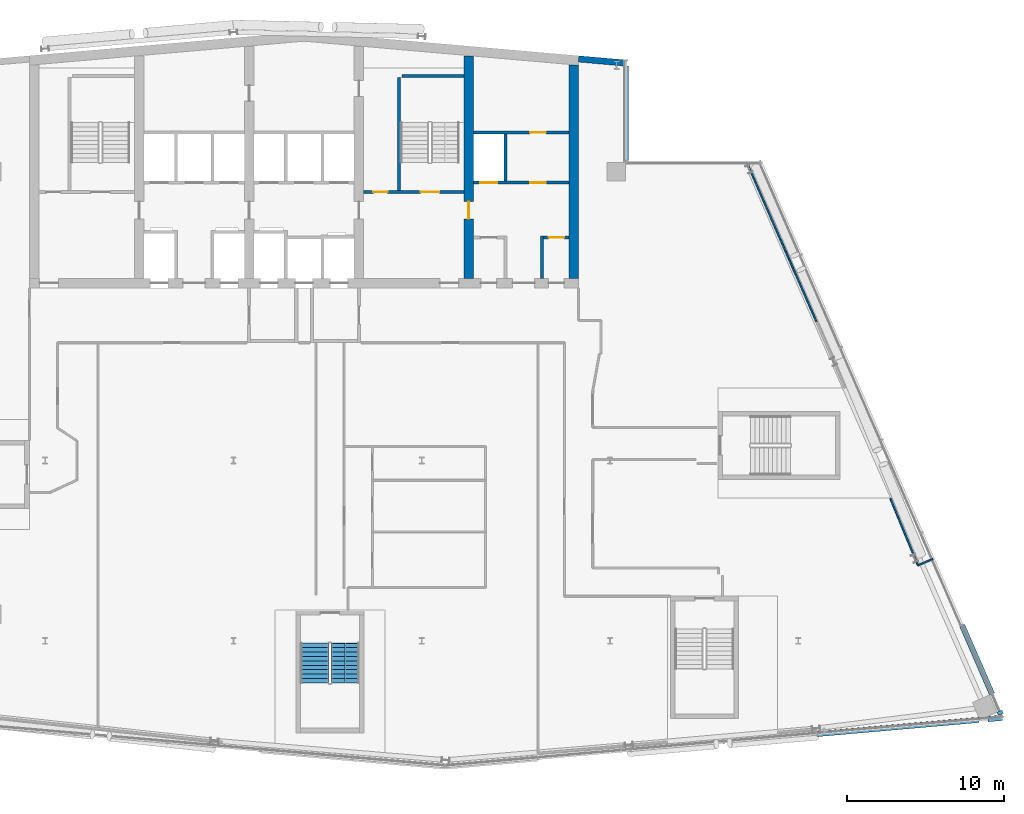
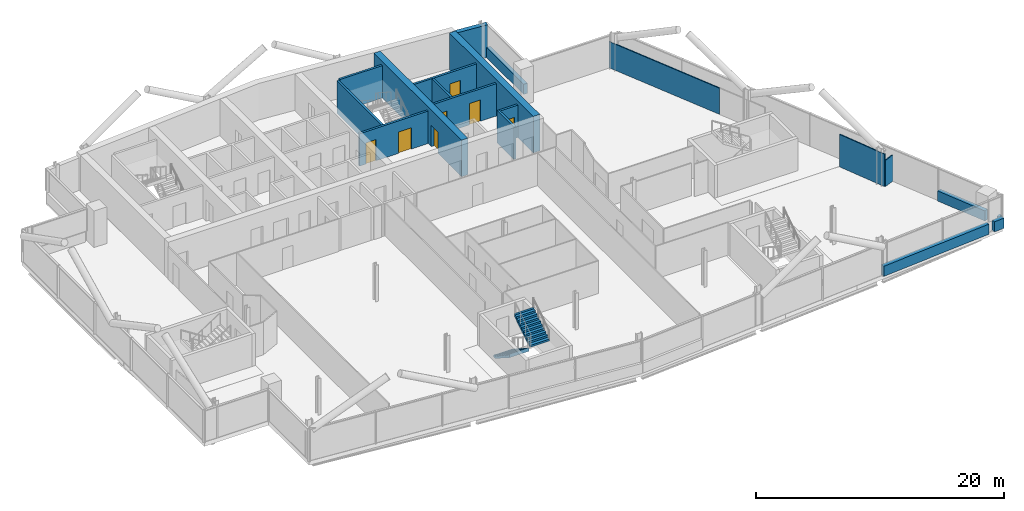
# One storey, part 18 of 25: 19 walls, 7 doors, 2 stair flights, 7 openings, 1 element without a shape of its own.
"""IFC4 building model written with IfcOpenShell, lengths in metres."""

from ifc_helpers import new_model, si_unit, direction, frame, frame_2d, origin, place, context, subcontext, project, spatial, polyline, rectangle, outline, extrude, material, layer, layer_set, type_object, element, fill, aggregate, save


model = new_model("IFC4")

# Units and contexts
model_context = context("Model", 3, precision=1e-05, world=origin(), true_north=direction((0.0, 1.0)))
body_context = subcontext(model_context, "Body", "Model", "MODEL_VIEW")
ifc_project = project(units=[si_unit("LENGTHUNIT", "METRE"), si_unit("AREAUNIT", "SQUARE_METRE"), si_unit("VOLUMEUNIT", "CUBIC_METRE"), si_unit("PLANEANGLEUNIT", "RADIAN"), si_unit("MASSUNIT", "GRAM", prefix="KILO")], contexts=[model_context])

# Site, building, storey
site_placement = place(None, origin())
site = spatial("IfcSite", under=ifc_project, at=site_placement, CompositionType="ELEMENT")
building_placement = place(site_placement, origin())
building = spatial("IfcBuilding", under=site, at=building_placement, Name="Wharfspan Tower", CompositionType="ELEMENT")
storey_placement = place(building_placement, frame((0.0, 0.0, 232.300049)))
storey = spatial("IfcBuildingStorey", under=building, at=storey_placement, Name="L58", CompositionType="ELEMENT", Elevation=232.300049)

# Wall, opening, door
ifc_material_1 = material(Name="Calcium silicate masonry", Category="masonry")
ifc_layer_1 = layer(ifc_material_1, 0.199951)
ifc_layer_set_1 = layer_set([ifc_layer_1], Name="Calcium silicate masonry")
wall_type_1 = type_object("IfcWallType", Name="Core room wall 200", PredefinedType="PARTITIONING", material=ifc_layer_set_1)
wall_1_placement = place(storey_placement, frame((55.766602, 37.199951, 0.0), z_axis=(0.0, 0.0, 1.0), x_axis=(1.0, 0.0, 0.0)))
wall_1 = element("IfcWall", 1, at=wall_1_placement, inside=storey, type_object=wall_type_1, Name="sw:L58:FR6.3", PredefinedType="PARTITIONING", context=body_context, shape_type="SweptSolid", body=[
    extrude(rectangle(XDim=1.633301, YDim=0.199951, at=frame_2d((0.81665, 0.0))), origin(), (0.0, 0.0, 1.0), 3.199951),
])
opening_1_placement = place(wall_1_placement, frame((0.31665, 0.0, 0.0)))
opening_1 = element("IfcOpeningElement", 2, at=opening_1_placement, cuts=wall_1, Name="Opening CD58.6H3", PredefinedType="OPENING", context=body_context, shape_type="SweptSolid", body=[
    extrude(rectangle(XDim=1.0, YDim=2.100098, at=frame_2d((0.5, 1.050049))), frame((0.0, 0.109863, 0.0), z_axis=(0.0, -1.0, 0.0), x_axis=(1.0, 0.0, 0.0)), (0.0, 0.0, 1.0), 0.219971),
])
ifc_material_2 = material(Name="Steel door leaf", Category="steel")
door_type_1 = type_object("IfcDoorType", Name="Core room door 1000x2100", OperationType="SINGLE_SWING_LEFT", PredefinedType="DOOR", material=ifc_material_2)
door_1_placement = place(opening_1_placement, origin())
door_1 = element("IfcDoor", 3, at=door_1_placement, inside=storey, type_object=door_type_1, Name="d:L58:6:fh6.3", OperationType="SINGLE_SWING_RIGHT", OverallHeight=2.100098, OverallWidth=1.0, PredefinedType="DOOR", context=body_context, shape_type="SweptSolid", body=[
    extrude(rectangle(XDim=1.0, YDim=2.100098, at=frame_2d((0.5, 1.050049))), frame((0.0, 0.024902, 0.0), z_axis=(0.0, -1.0, 0.0), x_axis=(1.0, 0.0, 0.0)), (0.0, 0.0, 1.0), 0.050049),
])
fill(opening_1, door_1)

ifc_material_3 = material(Name="Concrete C50/60", Category="concrete")
ifc_layer_2 = layer(ifc_material_3, 0.600098)
ifc_layer_set_2 = layer_set([ifc_layer_2], Name="Concrete C50/60")
wall_type_2 = type_object("IfcWallType", Name="Core wall 600 C50/60", PredefinedType="SHEAR", material=ifc_layer_set_2)
wall_2_placement = place(storey_placement, frame((51.0, 34.600098, 0.0), z_axis=(0.0, 0.0, 1.0), x_axis=(0.0, 1.0, 0.0)))
wall_2 = element("IfcWall", 4, at=wall_2_placement, inside=storey, type_object=wall_type_2, Name="Core cross wall X6 L58", PredefinedType="SHEAR", context=body_context, shape_type="SweptSolid", body=[
    extrude(rectangle(XDim=14.171143, YDim=0.600098, at=frame_2d((7.085449, 0.0))), origin(), (0.0, 0.0, 1.0), 3.599854),
])
opening_2_placement = place(wall_2_placement, frame((3.800049, 0.0, 0.0)))
opening_2 = element("IfcOpeningElement", 5, at=opening_2_placement, cuts=wall_2, Name="Opening CC58.6", PredefinedType="OPENING", context=body_context, shape_type="SweptSolid", body=[
    extrude(rectangle(XDim=1.100098, YDim=2.100098, at=frame_2d((0.550049, 1.050049))), frame((0.0, 0.310059, 0.0), z_axis=(0.0, -1.0, 0.0), x_axis=(1.0, 0.0, 0.0)), (0.0, 0.0, 1.0), 0.620117),
])
door_type_2 = type_object("IfcDoorType", Name="Core corridor door 1100x2100", OperationType="SINGLE_SWING_LEFT", PredefinedType="DOOR", material=ifc_material_2)
door_2_placement = place(opening_2_placement, origin())
door_2 = element("IfcDoor", 6, at=door_2_placement, inside=storey, type_object=door_type_2, Name="xd:L58:6", OperationType="SINGLE_SWING_RIGHT", OverallHeight=2.100098, OverallWidth=1.100098, PredefinedType="DOOR", context=body_context, shape_type="SweptSolid", body=[
    extrude(rectangle(XDim=1.100098, YDim=2.100098, at=frame_2d((0.550049, 1.050049))), frame((0.0, 0.024902, 0.0), z_axis=(0.0, -1.0, 0.0), x_axis=(1.0, 0.0, 0.0)), (0.0, 0.0, 1.0), 0.050049),
])
fill(opening_2, door_2)

# Wall
wall_3_placement = place(storey_placement, frame((57.699951, 34.600098, 0.0), z_axis=(0.0, 0.0, 1.0), x_axis=(0.0, 1.0, 0.0)))
element("IfcWall", 7, at=wall_3_placement, inside=storey, type_object=wall_type_2, Name="Core cross wall EW1 L58", PredefinedType="SHEAR", context=body_context, shape_type="SweptSolid", body=[
    extrude(rectangle(XDim=13.584961, YDim=0.600098, at=frame_2d((6.79248, 0.0))), origin(), (0.0, 0.0, 1.0), 3.599854),
])

# Wall, openings, doors
ifc_material_4 = material(Name="Concrete C30/37", Category="concrete")
ifc_layer_3 = layer(ifc_material_4, 0.199951)
ifc_layer_set_3 = layer_set([ifc_layer_3], Name="Concrete C30/37")
wall_type_3 = type_object("IfcWallType", Name="Lift shaft wall 200", PredefinedType="PARTITIONING", material=ifc_layer_set_3)
wall_4_placement = place(storey_placement, frame((51.300049, 40.699951, 0.0), z_axis=(0.0, 0.0, 1.0), x_axis=(1.0, 0.0, 0.0)))
wall_4 = element("IfcWall", 8, at=wall_4_placement, inside=storey, type_object=wall_type_3, Name="sw:L58:RF6", PredefinedType="PARTITIONING", context=body_context, shape_type="SweptSolid", body=[
    extrude(rectangle(XDim=6.099854, YDim=0.199951, at=frame_2d((3.049805, 0.0))), origin(), (0.0, 0.0, 1.0), 3.199951),
])
opening_3_placement = place(wall_4_placement, frame((0.416748, 0.0, 0.0)))
opening_3 = element("IfcOpeningElement", 9, at=opening_3_placement, cuts=wall_4, Name="Opening LD.LB8.L58", PredefinedType="OPENING", context=body_context, shape_type="SweptSolid", body=[
    extrude(rectangle(XDim=1.100098, YDim=2.100098, at=frame_2d((0.550049, 1.050049))), frame((0.0, 0.109863, 0.0), z_axis=(0.0, -1.0, 0.0), x_axis=(1.0, 0.0, 0.0)), (0.0, 0.0, 1.0), 0.219971),
])
opening_4_placement = place(wall_4_placement, frame((3.616699, 0.0, 0.0)))
opening_4 = element("IfcOpeningElement", 10, at=opening_4_placement, cuts=wall_4, Name="Opening CD58.6R2", PredefinedType="OPENING", context=body_context, shape_type="SweptSolid", body=[
    extrude(rectangle(XDim=1.0, YDim=2.100098, at=frame_2d((0.5, 1.050049))), frame((0.0, 0.109863, 0.0), z_axis=(0.0, -1.0, 0.0), x_axis=(1.0, 0.0, 0.0)), (0.0, 0.0, 1.0), 0.219971),
])
door_3_placement = place(opening_4_placement, origin())
door_3 = element("IfcDoor", 11, at=door_3_placement, inside=storey, type_object=door_type_1, Name="d:L58:6:rd6.2", OperationType="SINGLE_SWING_RIGHT", OverallHeight=2.100098, OverallWidth=1.0, PredefinedType="DOOR", context=body_context, shape_type="SweptSolid", body=[
    extrude(rectangle(XDim=1.0, YDim=2.100098, at=frame_2d((0.5, 1.050049))), frame((0.0, 0.024902, 0.0), z_axis=(0.0, -1.0, 0.0), x_axis=(1.0, 0.0, 0.0)), (0.0, 0.0, 1.0), 0.050049),
])
fill(opening_4, door_3)
ifc_material_5 = material(Name="Stainless steel", Category="steel")
door_type_3 = type_object("IfcDoorType", Name="Lift landing door 1100x2100", OperationType="DOUBLE_DOOR_SLIDING", PredefinedType="DOOR", material=ifc_material_5)
door_4_placement = place(opening_3_placement, origin())
door_4 = element("IfcDoor", 12, at=door_4_placement, inside=storey, type_object=door_type_3, Name="Landing door LB8 L58", OperationType="DOUBLE_DOOR_SLIDING", OverallHeight=2.100098, OverallWidth=1.100098, PredefinedType="DOOR", context=body_context, shape_type="SweptSolid", body=[
    extrude(rectangle(XDim=1.100098, YDim=2.100098, at=frame_2d((0.550049, 1.050049))), frame((0.0, 0.024902, 0.0), z_axis=(0.0, -1.0, 0.0), x_axis=(1.0, 0.0, 0.0)), (0.0, 0.0, 1.0), 0.050049),
])
fill(opening_3, door_4)

# Wall, opening, door
wall_5_placement = place(storey_placement, frame((51.300049, 43.899902, 0.0), z_axis=(0.0, 0.0, 1.0), x_axis=(1.0, 0.0, 0.0)))
wall_5 = element("IfcWall", 13, at=wall_5_placement, inside=storey, type_object=wall_type_3, Name="sw:L58:RR6", PredefinedType="PARTITIONING", context=body_context, shape_type="SweptSolid", body=[
    extrude(rectangle(XDim=6.099854, YDim=0.199951, at=frame_2d((3.049805, 0.0))), origin(), (0.0, 0.0, 1.0), 3.199951),
])
opening_5_placement = place(wall_5_placement, frame((3.616699, 0.0, 0.0)))
opening_5 = element("IfcOpeningElement", 14, at=opening_5_placement, cuts=wall_5, Name="Opening CD58.6S2", PredefinedType="OPENING", context=body_context, shape_type="SweptSolid", body=[
    extrude(rectangle(XDim=1.0, YDim=2.100098, at=frame_2d((0.5, 1.050049))), frame((0.0, 0.109863, 0.0), z_axis=(0.0, -1.0, 0.0), x_axis=(1.0, 0.0, 0.0)), (0.0, 0.0, 1.0), 0.219971),
])
door_5_placement = place(opening_5_placement, origin())
door_5 = element("IfcDoor", 15, at=door_5_placement, inside=storey, type_object=door_type_1, Name="d:L58:6:rs6.2", OperationType="SINGLE_SWING_LEFT", OverallHeight=2.100098, OverallWidth=1.0, PredefinedType="DOOR", context=body_context, shape_type="SweptSolid", body=[
    extrude(rectangle(XDim=1.0, YDim=2.100098, at=frame_2d((0.5, 1.050049))), frame((0.0, 0.024902, 0.0), z_axis=(0.0, -1.0, 0.0), x_axis=(1.0, 0.0, 0.0)), (0.0, 0.0, 1.0), 0.050049),
])
fill(opening_5, door_5)

# Walls
wall_6_placement = place(storey_placement, frame((0.0, 0.0, -0.000244)))
element("IfcWall", 16, at=wall_6_placement, inside=storey, type_object=wall_type_3, Name="sw:L58:FM6.1", PredefinedType="PARTITIONING", context=body_context, shape_type="SweptSolid", body=[
    extrude(outline(polyline([(55.56665, 34.600098), (55.56665, 37.300049), (55.766602, 37.300049), (55.766602, 34.600098), (55.56665, 34.600098)])), origin(), (0.0, 0.0, 1.0), 3.200195),
])
wall_7_placement = place(storey_placement, frame((0.0, 0.0, -0.000244)))
element("IfcWall", 17, at=wall_7_placement, inside=storey, type_object=wall_type_3, Name="sw:L58:RM6.0", PredefinedType="PARTITIONING", context=body_context, shape_type="SweptSolid", body=[
    extrude(outline(polyline([(53.43335, 40.800049), (53.43335, 43.800049), (53.233398, 43.800049), (53.233398, 40.800049), (53.43335, 40.800049)])), origin(), (0.0, 0.0, 1.0), 3.200195),
])
ifc_material_6 = material(Name="Gypsum board on steel studs", Category="steel")
ifc_layer_4 = layer(ifc_material_6, 0.100098)
ifc_layer_set_4 = layer_set([ifc_layer_4], Name="Gypsum board on steel studs")
wall_type_4 = type_object("IfcWallType", Name="Partition 100", PredefinedType="PARTITIONING", material=ifc_layer_set_4)
wall_8_placement = place(storey_placement, frame((73.165039, 31.820068, 0.0), z_axis=(0.0, 0.0, 1.0), x_axis=(-0.400551, 0.916278, 0.0)))
element("IfcWall", 18, at=wall_8_placement, inside=storey, type_object=wall_type_4, Name="Partition L58.w044", PredefinedType="PARTITIONING", context=body_context, shape_type="SweptSolid", body=[
    extrude(rectangle(XDim=11.088379, YDim=0.100098, at=frame_2d((5.544189, 0.0))), origin(), (0.0, 0.0, 1.0), 2.579834),
])
wall_9_placement = place(storey_placement, frame((79.629883, 16.314941, 0.0), z_axis=(0.0, 0.0, 1.0), x_axis=(0.918616, 0.395147, 0.0)))
element("IfcWall", 19, at=wall_9_placement, inside=storey, type_object=wall_type_4, Name="Partition L58.w048", PredefinedType="PARTITIONING", context=body_context, shape_type="SweptSolid", body=[
    extrude(rectangle(XDim=1.03125, YDim=0.100098, at=frame_2d((0.515625, 0.0))), origin(), (0.0, 0.0, 1.0), 2.579834),
])
wall_10_placement = place(storey_placement, frame((79.629883, 16.314941, 0.0), z_axis=(0.0, 0.0, 1.0), x_axis=(-0.381721, 0.924278, 0.0)))
element("IfcWall", 20, at=wall_10_placement, inside=storey, type_object=wall_type_4, Name="Partition L58.w049", PredefinedType="PARTITIONING", context=body_context, shape_type="SweptSolid", body=[
    extrude(rectangle(XDim=4.614502, YDim=0.100098, at=frame_2d((2.307129, 0.0))), origin(), (0.0, 0.0, 1.0), 3.199951),
])
ifc_material_7 = material(Name="Concrete C40/50", Category="concrete")
ifc_layer_5 = layer(ifc_material_7, 0.350098)
ifc_layer_set_5 = layer_set([ifc_layer_5], Name="Concrete C40/50")
wall_type_5 = type_object("IfcWallType", Name="SPANDREL EXPOSED CONCRETE 350", PredefinedType="SOLIDWALL", material=ifc_layer_set_5)
wall_11_placement = place(storey_placement, frame((73.197021, 5.562256, 0.0), z_axis=(0.0, 0.0, 1.0), x_axis=(0.996198, 0.087163, 0.0)))
element("IfcWall", 21, at=wall_11_placement, inside=storey, type_object=wall_type_5, Name="Spandrel upstand L58 S2 2", PredefinedType="SOLIDWALL", context=body_context, shape_type="SweptSolid", body=[
    extrude(rectangle(XDim=10.35791, YDim=0.350098, at=frame_2d((5.178955, 0.0))), origin(), (0.0, 0.0, 1.0), 1.0),
])
wall_12_placement = place(storey_placement, frame((84.077637, 6.514404, 0.0), z_axis=(0.0, 0.0, 1.0), x_axis=(0.996213, 0.086971, 0.0)))
element("IfcWall", 22, at=wall_12_placement, inside=storey, type_object=wall_type_5, Name="Spandrel upstand L58 S2 3", PredefinedType="SOLIDWALL", context=body_context, shape_type="SweptSolid", body=[
    extrude(rectangle(XDim=0.92627, YDim=0.350098, at=frame_2d((0.463135, 0.0))), origin(), (0.0, 0.0, 1.0), 1.0),
])
wall_13_placement = place(storey_placement, frame((84.9104, 6.818604, 0.0), z_axis=(0.0, 0.0, 1.0), x_axis=(-0.398359, 0.91723, 0.0)))
element("IfcWall", 23, at=wall_13_placement, inside=storey, type_object=wall_type_5, Name="Spandrel upstand L58 E", PredefinedType="SOLIDWALL", context=body_context, shape_type="SweptSolid", body=[
    extrude(rectangle(XDim=0.21875, YDim=0.350098, at=frame_2d((0.109375, 0.0))), origin(), (0.0, 0.0, 1.0), 1.0),
])
wall_14_placement = place(storey_placement, frame((84.344727, 8.119873, 0.0), z_axis=(0.0, 0.0, 1.0), x_axis=(-0.398736, 0.917067, 0.0)))
element("IfcWall", 24, at=wall_14_placement, inside=storey, type_object=wall_type_5, Name="Spandrel upstand L58 E 2", PredefinedType="SOLIDWALL", context=body_context, shape_type="SweptSolid", body=[
    extrude(rectangle(XDim=4.748291, YDim=0.350098, at=frame_2d((2.374023, 0.0))), origin(), (0.0, 0.0, 1.0), 1.0),
])
wall_15_placement = place(storey_placement, frame((61.004883, 42.120117, 0.0), z_axis=(0.0, 0.0, 1.0), x_axis=(0.0, 1.0, 0.0)))
element("IfcWall", 25, at=wall_15_placement, inside=storey, type_object=wall_type_5, Name="Spandrel upstand L58 NRE-V", PredefinedType="SOLIDWALL", context=body_context, shape_type="SweptSolid", body=[
    extrude(rectangle(XDim=6.006348, YDim=0.350098, at=frame_2d((3.003174, 0.0))), origin(), (0.0, 0.0, 1.0), 1.0),
])

# Wall, openings, doors
ifc_layer_6 = layer(ifc_material_7, 0.199951)
ifc_layer_set_6 = layer_set([ifc_layer_6], Name="Concrete C40/50")
wall_type_6 = type_object("IfcWallType", Name="Stair shaft wall 200", PredefinedType="SHEAR", material=ifc_layer_set_6)
wall_16_placement = place(storey_placement, frame((44.300049, 40.100098, 0.0), z_axis=(0.0, 0.0, 1.0), x_axis=(1.0, 0.0, 0.0)))
wall_16 = element("IfcWall", 26, at=wall_16_placement, inside=storey, type_object=wall_type_6, Name="ST2 stair enclosure wall L58", PredefinedType="SHEAR", context=body_context, shape_type="SweptSolid", body=[
    extrude(rectangle(XDim=6.399902, YDim=0.199951, at=frame_2d((3.199951, 0.0))), origin(), (0.0, 0.0, 1.0), 3.199951),
])
opening_6_placement = place(wall_16_placement, frame((3.625, 0.0, 0.0)))
opening_6 = element("IfcOpeningElement", 27, at=opening_6_placement, cuts=wall_16, Name="Opening SD5.L58", PredefinedType="OPENING", context=body_context, shape_type="SweptSolid", body=[
    extrude(rectangle(XDim=1.199951, YDim=2.100098, at=frame_2d((0.600098, 1.050049))), frame((0.0, 0.109863, 0.0), z_axis=(0.0, -1.0, 0.0), x_axis=(1.0, 0.0, 0.0)), (0.0, 0.0, 1.0), 0.219971),
])
opening_7_placement = place(wall_16_placement, frame((0.625, 0.0, 0.0)))
opening_7 = element("IfcOpeningElement", 28, at=opening_7_placement, cuts=wall_16, Name="Opening CD58.5R", PredefinedType="OPENING", context=body_context, shape_type="SweptSolid", body=[
    extrude(rectangle(XDim=0.899902, YDim=2.100098, at=frame_2d((0.449951, 1.050049))), frame((0.0, 0.109863, 0.0), z_axis=(0.0, -1.0, 0.0), x_axis=(1.0, 0.0, 0.0)), (0.0, 0.0, 1.0), 0.219971),
])
door_6_placement = place(opening_7_placement, origin())
door_6 = element("IfcDoor", 29, at=door_6_placement, inside=storey, type_object=door_type_1, Name="rk:L58:5", OperationType="SINGLE_SWING_LEFT", OverallHeight=2.100098, OverallWidth=0.899902, PredefinedType="DOOR", context=body_context, shape_type="SweptSolid", body=[
    extrude(rectangle(XDim=0.899902, YDim=2.100098, at=frame_2d((0.449951, 1.050049))), frame((0.0, 0.024902, 0.0), z_axis=(0.0, -1.0, 0.0), x_axis=(1.0, 0.0, 0.0)), (0.0, 0.0, 1.0), 0.050049),
])
fill(opening_7, door_6)
door_type_4 = type_object("IfcDoorType", Name="Stair door 1200x2100", OperationType="SINGLE_SWING_LEFT", PredefinedType="DOOR", material=ifc_material_2)
door_7_placement = place(opening_6_placement, origin())
door_7 = element("IfcDoor", 30, at=door_7_placement, inside=storey, type_object=door_type_4, Name="sd:L58:5", OperationType="SINGLE_SWING_RIGHT", OverallHeight=2.100098, OverallWidth=1.199951, PredefinedType="DOOR", context=body_context, shape_type="SweptSolid", body=[
    extrude(rectangle(XDim=1.199951, YDim=2.100098, at=frame_2d((0.600098, 1.050049))), frame((0.0, 0.024902, 0.0), z_axis=(0.0, -1.0, 0.0), x_axis=(1.0, 0.0, 0.0)), (0.0, 0.0, 1.0), 0.050049),
])
fill(opening_6, door_7)

# Walls
wall_17_placement = place(storey_placement, frame((46.550049, 40.199951, 0.0), z_axis=(0.0, 0.0, 1.0), x_axis=(0.0, 1.0, 0.0)))
element("IfcWall", 31, at=wall_17_placement, inside=storey, type_object=wall_type_6, Name="ST2 stair enclosure wall L58", PredefinedType="SHEAR", context=body_context, shape_type="SweptSolid", body=[
    extrude(rectangle(XDim=7.199951, YDim=0.199951, at=frame_2d((3.600098, 0.0))), origin(), (0.0, 0.0, 1.0), 3.199951),
])
wall_18_placement = place(storey_placement, frame((46.75, 47.5, 0.0), z_axis=(0.0, 0.0, 1.0), x_axis=(1.0, 0.0, 0.0)))
element("IfcWall", 32, at=wall_18_placement, inside=storey, type_object=wall_type_6, Name="ST2 stair enclosure wall L58", PredefinedType="SHEAR", context=body_context, shape_type="SweptSolid", body=[
    extrude(rectangle(XDim=3.949951, YDim=0.199951, at=frame_2d((1.975098, 0.0))), origin(), (0.0, 0.0, 1.0), 3.199951),
])
ifc_layer_7 = layer(ifc_material_7, 0.399902)
ifc_layer_set_7 = layer_set([ifc_layer_7], Name="Concrete C40/50")
wall_type_7 = type_object("IfcWallType", Name="WALL EXPOSED CONCRETE 400", PredefinedType="SOLIDWALL", material=ifc_layer_set_7)
wall_19_placement = place(storey_placement, frame((60.982666, 48.325684, 0.0), z_axis=(0.0, 0.0, 1.0), x_axis=(-0.996194, 0.087168, 0.0)))
element("IfcWall", 33, at=wall_19_placement, inside=storey, type_object=wall_type_7, Name="Rear wall N2", PredefinedType="SOLIDWALL", context=body_context, shape_type="SweptSolid", body=[
    extrude(rectangle(XDim=2.994141, YDim=0.399902, at=frame_2d((1.49707, 0.0))), origin(), (0.0, 0.0, 1.0), 3.199951),
])

# Stair, stair flights
stair_type = type_object("IfcStairType", Name="Half-turn stair 20 risers 180 mm", PredefinedType="HALF_TURN_STAIR", material=ifc_material_7)
stair_placement = place(storey_placement, origin())
stair = element("IfcStair", 34, at=stair_placement, inside=storey, type_object=stair_type, Name="L58 stair ST4", PredefinedType="HALF_TURN_STAIR")
stair_flight_type = type_object("IfcStairFlightType", Name="Stair flight 20 risers 180 mm", PredefinedType="STRAIGHT", material=ifc_material_7)
stair_flight_1_placement = place(storey_placement, frame((41.177002, 11.343262, 0.0), z_axis=(0.0, 0.0, 1.0), x_axis=(0.0, -1.0, 0.0)))
stair_flight_1 = element("IfcStairFlight", 35, at=stair_flight_1_placement, type_object=stair_flight_type, Name="ST4 flight 1", NumberOfRisers=10, NumberOfTreads=9, PredefinedType="STRAIGHT", RiserHeight=0.18, TreadLength=0.28, context=body_context, shape_type="SweptSolid", body=[
    extrude(outline(polyline([(-0.011963, 0.0), (-0.011963, 0.179932), (0.0, 0.179932), (0.280029, 0.179932), (0.280029, 0.360107), (0.560059, 0.360107), (0.560059, 0.540039), (0.840088, 0.540039), (0.840088, 0.719971), (1.120117, 0.719971), (1.120117, 0.899902), (1.399902, 0.899902), (1.399902, 1.080078), (1.679932, 1.080078), (1.679932, 1.26001), (1.959961, 1.26001), (1.959961, 1.439941), (2.23999, 1.439941), (2.23999, 1.620117), (2.52002, 1.620117), (2.531982, 1.800049), (2.531982, 1.441895), (0.2771, 0.0), (-0.011963, 0.0)])), frame((0.0, 0.899902, 0.0), z_axis=(0.0, -1.0, 0.0), x_axis=(1.0, 0.0, 0.0)), (0.0, 0.0, 1.0), 0.899414),
    extrude(outline(polyline([(-0.011963, 0.0), (-0.011963, 0.179932), (0.0, 0.179932), (0.280029, 0.179932), (0.280029, 0.360107), (0.560059, 0.360107), (0.560059, 0.540039), (0.840088, 0.540039), (0.840088, 0.719971), (1.120117, 0.719971), (1.120117, 0.899902), (1.399902, 0.899902), (1.399902, 1.080078), (1.679932, 1.080078), (1.679932, 1.26001), (1.959961, 1.26001), (1.959961, 1.439941), (2.23999, 1.439941), (2.23999, 1.620117), (2.52002, 1.620117), (2.531982, 1.800049), (2.531982, 1.441895), (0.2771, 0.0), (-0.011963, 0.0)])), frame((0.0, -0.000488, 0.0), z_axis=(0.0, -1.0, 0.0), x_axis=(1.0, 0.0, 0.0)), (0.0, 0.0, 1.0), 0.899414),
])
stair_flight_2_placement = place(storey_placement, frame((43.127197, 8.823242, 1.800049), z_axis=(0.0, 0.0, 1.0), x_axis=(0.0, 1.0, 0.0)))
stair_flight_2 = element("IfcStairFlight", 36, at=stair_flight_2_placement, type_object=stair_flight_type, Name="ST4 flight 2", NumberOfRisers=10, NumberOfTreads=9, PredefinedType="STRAIGHT", RiserHeight=0.18, TreadLength=0.28, context=body_context, shape_type="SweptSolid", body=[
    extrude(outline(polyline([(-0.011963, 0.0), (-0.011963, 0.179932), (0.0, 0.179932), (0.280029, 0.179932), (0.280029, 0.360107), (0.560059, 0.360107), (0.560059, 0.540039), (0.840088, 0.540039), (0.840088, 0.719971), (1.120117, 0.719971), (1.120117, 0.899902), (1.399902, 0.899902), (1.399902, 1.080078), (1.679932, 1.080078), (1.679932, 1.26001), (1.959961, 1.26001), (1.959961, 1.439941), (2.23999, 1.439941), (2.23999, 1.620117), (2.52002, 1.620117), (2.531982, 1.800049), (2.531982, 1.441895), (0.2771, 0.0), (-0.011963, 0.0)])), frame((0.0, 0.899902, 0.0), z_axis=(0.0, -1.0, 0.0), x_axis=(1.0, 0.0, 0.0)), (0.0, 0.0, 1.0), 0.899414),
    extrude(outline(polyline([(-0.011963, 0.0), (-0.011963, 0.179932), (0.0, 0.179932), (0.280029, 0.179932), (0.280029, 0.360107), (0.560059, 0.360107), (0.560059, 0.540039), (0.840088, 0.540039), (0.840088, 0.719971), (1.120117, 0.719971), (1.120117, 0.899902), (1.399902, 0.899902), (1.399902, 1.080078), (1.679932, 1.080078), (1.679932, 1.26001), (1.959961, 1.26001), (1.959961, 1.439941), (2.23999, 1.439941), (2.23999, 1.620117), (2.52002, 1.620117), (2.531982, 1.800049), (2.531982, 1.441895), (0.2771, 0.0), (-0.011963, 0.0)])), frame((0.0, -0.000488, 0.0), z_axis=(0.0, -1.0, 0.0), x_axis=(1.0, 0.0, 0.0)), (0.0, 0.0, 1.0), 0.899414),
])
aggregate(stair, [stair_flight_1, stair_flight_2])

save(model, "model.ifc")
